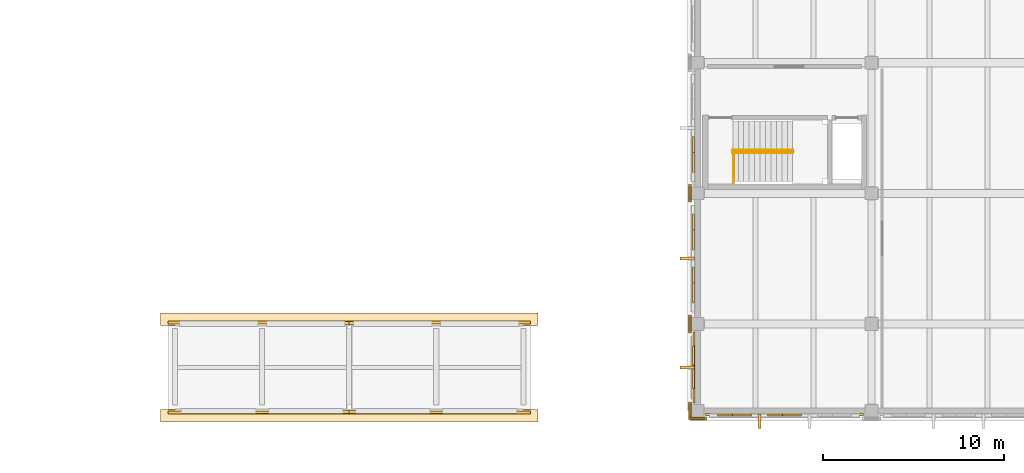
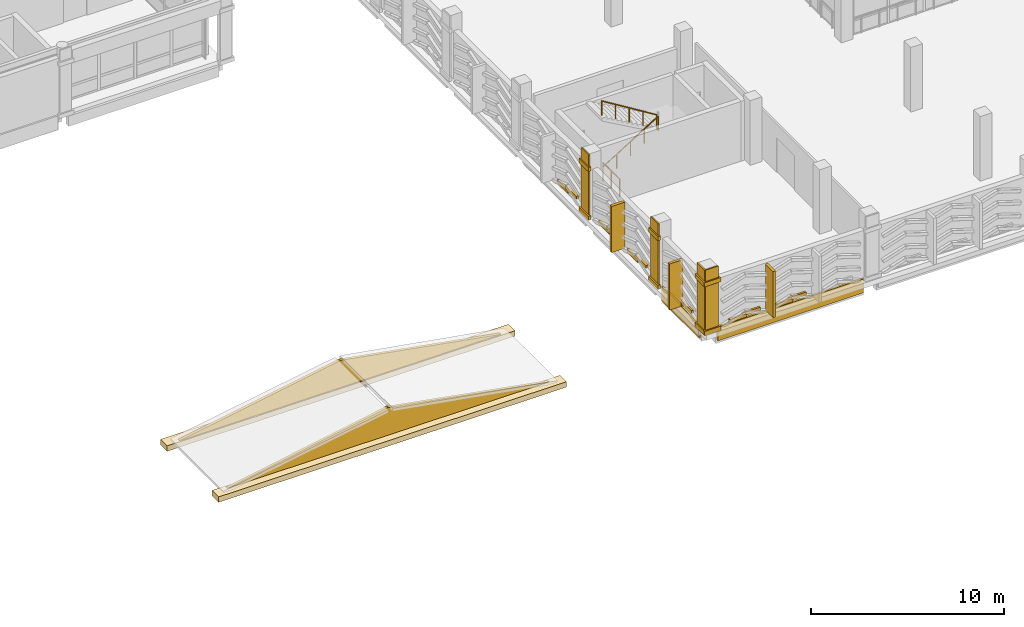
# One storey, part 165 of 180: 33 coverings, 3 railings.
"""IFC4 building model written with IfcOpenShell, lengths in metres."""

from ifc_helpers import new_model, si_unit, direction, frame, origin, origin_2d, place, context, subcontext, project, spatial, polyline, rectangle, circle, outline, extrude, material, layer, layer_set, type_object, element, save


model = new_model("IFC4")

# Units and contexts
model_context = context("Model", 3, precision=1e-05, world=origin(), true_north=direction((0.0, 1.0)))
body_context = subcontext(model_context, "Body", "Model", "MODEL_VIEW")
ifc_project = project(units=[si_unit("LENGTHUNIT", "METRE"), si_unit("AREAUNIT", "SQUARE_METRE"), si_unit("VOLUMEUNIT", "CUBIC_METRE"), si_unit("PLANEANGLEUNIT", "RADIAN"), si_unit("MASSUNIT", "GRAM", prefix="KILO")], contexts=[model_context])

# Site, building, storey
site_placement = place(None, origin())
site = spatial("IfcSite", under=ifc_project, at=site_placement, CompositionType="ELEMENT")
building_placement = place(site_placement, origin())
building = spatial("IfcBuilding", under=site, at=building_placement, Name="Asteropetra Specialist Clinic", CompositionType="ELEMENT")
storey_placement = place(building_placement, frame((0.0, 0.0, 4.419921875)))
storey = spatial("IfcBuildingStorey", under=building, at=storey_placement, Name="L01", CompositionType="ELEMENT", Elevation=4.419921875)

# Coverings
ifc_material_1 = material(Name="Chevron aegean deep")
ifc_layer_1 = layer(ifc_material_1, 0.1201171875)
ifc_layer_set_1 = layer_set([ifc_layer_1], Name="Chevron aegean deep")
covering_type_1 = type_object("IfcCoveringType", Name="CLD-AEG-DEEP", PredefinedType="CLADDING", material=ifc_layer_set_1)
covering_1_placement = place(storey_placement, frame((110.39990234375, -0.197509765625, -0.7998046875), z_axis=(0.0, 0.0, 1.0), x_axis=(1.0, 0.0, 0.0)))
element("IfcCovering", 1, at=covering_1_placement, inside=storey, type_object=covering_type_1, Name="Chevron Spandrel Band CV-2011", PredefinedType="CLADDING", context=body_context, shape_type="SweptSolid", body=[
    extrude(rectangle(XDim=8.699951171875, YDim=0.1201171875, at=origin_2d()), origin(), (0.0, 0.0, 1.0), 0.8798828125),
])
for number, where, z_axis, x_axis, name in (
    (2, (107.23974609375, -0.21240234375, 0.1201171875), (0.0, 0.0, 1.0), (1.0, 0.0, 0.0), "Chevron Ceramic Band CV-2012"),
    (3, (108.0537109375, -0.21240234375, 0.26025390625), (0.0, 0.0, 1.0), (1.0, 0.0, 0.0), "Chevron Ceramic Band CV-2013"),
    (4, (109.992919921875, -0.21240234375, 0.1201171875), (0.0, 0.0, 1.0), (1.0, 0.0, 0.0), "Chevron Ceramic Band CV-2014"),
    (5, (110.806884765625, -0.21240234375, 0.26025390625), (0.0, 0.0, 1.0), (1.0, 0.0, 0.0), "Chevron Ceramic Band CV-2015"),
):
    element("IfcCovering", number, at=place(storey_placement, frame(where, z_axis=z_axis, x_axis=x_axis)), inside=storey, type_object=covering_type_1, Name=name, PredefinedType="CLADDING", context=body_context, shape_type="SweptSolid", body=[
        extrude(rectangle(XDim=1.0458984375, YDim=0.1201171875, at=origin_2d()), origin(), (0.0, 0.0, 1.0), 0.199951171875),
    ])
covering_2_placement = place(storey_placement, frame((105.402587890625, 2.39990234375, -0.7998046875), z_axis=(0.0, 0.0, 1.0), x_axis=(1.0, 0.0, 0.0)))
element("IfcCovering", 6, at=covering_2_placement, inside=storey, type_object=covering_type_1, Name="Chevron Spandrel Band CV-2070", PredefinedType="CLADDING", context=body_context, shape_type="SweptSolid", body=[
    extrude(rectangle(XDim=0.1201171875, YDim=3.89990234375, at=origin_2d()), origin(), (0.0, 0.0, 1.0), 0.8798828125),
])
for number, where, z_axis, x_axis, name in (
    (7, (105.387451171875, 2.9130859375, 0.1201171875), (0.0, 0.0, 1.0), (1.0, 0.0, 0.0), "Chevron Ceramic Band CV-2071"),
    (8, (105.387451171875, 1.886962890625, 0.26025390625), (0.0, 0.0, 1.0), (1.0, 0.0, 0.0), "Chevron Ceramic Band CV-2072"),
):
    element("IfcCovering", number, at=place(storey_placement, frame(where, z_axis=z_axis, x_axis=x_axis)), inside=storey, type_object=covering_type_1, Name=name, PredefinedType="CLADDING", context=body_context, shape_type="SweptSolid", body=[
        extrude(rectangle(XDim=0.1201171875, YDim=1.31494140625, at=origin_2d()), origin(), (0.0, 0.0, 1.0), 0.199951171875),
    ])
for number, where, z_axis, x_axis, name in (
    (9, (105.387451171875, 10.298583984375, 0.1201171875), (0.0, 0.0, 1.0), (1.0, 0.0, 0.0), "Chevron Ceramic Band CV-2076"),
    (10, (105.387451171875, 9.431396484375, 0.26025390625), (0.0, 0.0, 1.0), (1.0, 0.0, 0.0), "Chevron Ceramic Band CV-2077"),
    (11, (105.387451171875, 7.368408203125, 0.1201171875), (0.0, 0.0, 1.0), (1.0, 0.0, 0.0), "Chevron Ceramic Band CV-2078"),
    (12, (105.387451171875, 6.50146484375, 0.26025390625), (0.0, 0.0, 1.0), (1.0, 0.0, 0.0), "Chevron Ceramic Band CV-2079"),
    (13, (105.387451171875, 14.568603515625, 0.1201171875), (0.0, 0.0, 1.0), (1.0, 0.0, 0.0), "Chevron Ceramic Band CV-2087"),
    (14, (105.387451171875, 13.701416015625, 0.26025390625), (0.0, 0.0, 1.0), (1.0, 0.0, 0.0), "Chevron Ceramic Band CV-2088"),
):
    element("IfcCovering", number, at=place(storey_placement, frame(where, z_axis=z_axis, x_axis=x_axis)), inside=storey, type_object=covering_type_1, Name=name, PredefinedType="CLADDING", context=body_context, shape_type="SweptSolid", body=[
        extrude(rectangle(XDim=0.1201171875, YDim=1.113037109375, at=origin_2d()), origin(), (0.0, 0.0, 1.0), 0.199951171875),
    ])
ifc_material_2 = material(Name="Pentelic marble ashlar", Category="masonry")
ifc_layer_2 = layer(ifc_material_2, 0.159912109375)
ifc_layer_set_2 = layer_set([ifc_layer_2], Name="Pentelic marble ashlar")
covering_type_2 = type_object("IfcCoveringType", Name="CRN-ENTAB-600", PredefinedType="MOLDING", material=ifc_layer_set_2)
covering_3_placement = place(storey_placement, frame((105.60009765625, -0.382080078125, 0.02001953125), z_axis=(0.0, 0.0, 1.0), x_axis=(1.0, 0.0, 0.0)))
element("IfcCovering", 15, at=covering_3_placement, inside=storey, type_object=covering_type_2, Name="Neoclassical Pilaster Facing CM-1013", PredefinedType="MOLDING", context=body_context, shape_type="SweptSolid", body=[
    extrude(rectangle(XDim=0.780029296875, YDim=0.080078125, at=origin_2d()), origin(), (0.0, 0.0, 1.0), 4.0400390625),
])
for number, where, z_axis, x_axis, name in (
    (16, (105.60009765625, -0.422119140625, 0.01025390625), (0.0, 0.0, 1.0), (1.0, 0.0, 0.0), "Doric Base CC-1014"),
    (17, (105.60009765625, -0.422119140625, 3.08984375), (0.0, 0.0, 1.0), (1.0, 0.0, 0.0), "Doric Capital CC-1015"),
):
    element("IfcCovering", number, at=place(storey_placement, frame(where, z_axis=z_axis, x_axis=x_axis)), inside=storey, type_object=covering_type_2, Name=name, PredefinedType="MOLDING", context=body_context, shape_type="SweptSolid", body=[
        extrude(rectangle(XDim=0.97998046875, YDim=0.159912109375, at=origin_2d()), origin(), (0.0, 0.0, 1.0), 0.260009765625),
    ])
covering_4_placement = place(storey_placement, frame((105.218017578125, 0.0, 0.02001953125), z_axis=(0.0, 0.0, 1.0), x_axis=(1.0, 0.0, 0.0)))
element("IfcCovering", 18, at=covering_4_placement, inside=storey, type_object=covering_type_2, Name="Neoclassical Pilaster Facing CM-1016", PredefinedType="MOLDING", context=body_context, shape_type="SweptSolid", body=[
    extrude(rectangle(XDim=0.080078125, YDim=0.780029296875, at=origin_2d()), origin(), (0.0, 0.0, 1.0), 4.0400390625),
])
for number, where, z_axis, x_axis, name in (
    (19, (105.177978515625, 0.0, 0.01025390625), (0.0, 0.0, 1.0), (1.0, 0.0, 0.0), "Doric Base CC-1017"),
    (20, (105.177978515625, 0.0, 3.08984375), (0.0, 0.0, 1.0), (1.0, 0.0, 0.0), "Doric Capital CC-1018"),
):
    element("IfcCovering", number, at=place(storey_placement, frame(where, z_axis=z_axis, x_axis=x_axis)), inside=storey, type_object=covering_type_2, Name=name, PredefinedType="MOLDING", context=body_context, shape_type="SweptSolid", body=[
        extrude(rectangle(XDim=0.159912109375, YDim=0.97998046875, at=origin_2d()), origin(), (0.0, 0.0, 1.0), 0.260009765625),
    ])
covering_5_placement = place(storey_placement, frame((105.218017578125, 4.800048828125, 0.02001953125), z_axis=(0.0, 0.0, 1.0), x_axis=(1.0, 0.0, 0.0)))
element("IfcCovering", 21, at=covering_5_placement, inside=storey, type_object=covering_type_2, Name="Neoclassical Pilaster Facing CM-1019", PredefinedType="MOLDING", context=body_context, shape_type="SweptSolid", body=[
    extrude(rectangle(XDim=0.080078125, YDim=0.780029296875, at=origin_2d()), origin(), (0.0, 0.0, 1.0), 4.0400390625),
])
for number, where, z_axis, x_axis, name in (
    (22, (105.177978515625, 4.800048828125, 0.01025390625), (0.0, 0.0, 1.0), (1.0, 0.0, 0.0), "Doric Base CC-1020"),
    (23, (105.177978515625, 4.800048828125, 3.08984375), (0.0, 0.0, 1.0), (1.0, 0.0, 0.0), "Doric Capital CC-1021"),
):
    element("IfcCovering", number, at=place(storey_placement, frame(where, z_axis=z_axis, x_axis=x_axis)), inside=storey, type_object=covering_type_2, Name=name, PredefinedType="MOLDING", context=body_context, shape_type="SweptSolid", body=[
        extrude(rectangle(XDim=0.159912109375, YDim=0.97998046875, at=origin_2d()), origin(), (0.0, 0.0, 1.0), 0.260009765625),
    ])
covering_6_placement = place(storey_placement, frame((105.218017578125, 12.0, 0.02001953125), z_axis=(0.0, 0.0, 1.0), x_axis=(1.0, 0.0, 0.0)))
element("IfcCovering", 24, at=covering_6_placement, inside=storey, type_object=covering_type_2, Name="Neoclassical Pilaster Facing CM-1022", PredefinedType="MOLDING", context=body_context, shape_type="SweptSolid", body=[
    extrude(rectangle(XDim=0.080078125, YDim=0.780029296875, at=origin_2d()), origin(), (0.0, 0.0, 1.0), 4.0400390625),
])
for number, where, z_axis, x_axis, name in (
    (25, (105.177978515625, 12.0, 0.01025390625), (0.0, 0.0, 1.0), (1.0, 0.0, 0.0), "Doric Base CC-1023"),
    (26, (105.177978515625, 12.0, 3.08984375), (0.0, 0.0, 1.0), (1.0, 0.0, 0.0), "Doric Capital CC-1024"),
):
    element("IfcCovering", number, at=place(storey_placement, frame(where, z_axis=z_axis, x_axis=x_axis)), inside=storey, type_object=covering_type_2, Name=name, PredefinedType="MOLDING", context=body_context, shape_type="SweptSolid", body=[
        extrude(rectangle(XDim=0.159912109375, YDim=0.97998046875, at=origin_2d()), origin(), (0.0, 0.0, 1.0), 0.260009765625),
    ])
covering_7_placement = place(storey_placement, frame((76.39990234375, -0.159912109375, 0.0), z_axis=(0.0, -0.999938160075, 0.011120972349), x_axis=(1.0, 0.0, 0.0)))
element("IfcCovering", 27, at=covering_7_placement, inside=storey, type_object=covering_type_2, Name="Classical Pediment Tympanum Face TF-013", PredefinedType="MOLDING", context=body_context, shape_type="SweptSolid", body=[
    extrude(outline(polyline([(0.0, 0.0), (20.0, 0.0), (10.0, 1.8001601498938), (0.0, 0.0)])), origin(), (0.0, 0.0, -1.0), 0.159912109375),
])
covering_8_placement = place(storey_placement, frame((86.39990234375, -0.260009765625, -0.27001953125), z_axis=(0.0, 0.0, 1.0), x_axis=(1.0, 0.0, 0.0)))
element("IfcCovering", 28, at=covering_8_placement, inside=storey, type_object=covering_type_2, Name="Pediment Geison Cornice CR-014", PredefinedType="MOLDING", context=body_context, shape_type="SweptSolid", body=[
    extrude(rectangle(XDim=20.800048828125, YDim=0.679931640625, at=origin_2d()), origin(), (0.0, 0.0, 1.0), 0.340087890625),
])
covering_9_placement = place(storey_placement, frame((76.39990234375, 4.9599609375, 0.0), z_axis=(0.0, 0.999938160075, 0.011120972349), x_axis=(1.0, 0.0, 0.0)))
element("IfcCovering", 29, at=covering_9_placement, inside=storey, type_object=covering_type_2, Name="Classical Pediment Tympanum Face TF-015", PredefinedType="MOLDING", context=body_context, shape_type="SweptSolid", body=[
    extrude(outline(polyline([(0.0, 0.0), (20.0, 0.0), (10.0, -1.8001601498938), (0.0, 0.0)])), origin(), (0.0, 0.0, -1.0), 0.159912109375),
])
covering_10_placement = place(storey_placement, frame((86.39990234375, 5.06005859375, -0.27001953125), z_axis=(0.0, 0.0, 1.0), x_axis=(1.0, 0.0, 0.0)))
element("IfcCovering", 30, at=covering_10_placement, inside=storey, type_object=covering_type_2, Name="Pediment Geison Cornice CR-016", PredefinedType="MOLDING", context=body_context, shape_type="SweptSolid", body=[
    extrude(rectangle(XDim=20.800048828125, YDim=0.679931640625, at=origin_2d()), origin(), (0.0, 0.0, 1.0), 0.340087890625),
])
ifc_material_3 = material(Name="Pentelic marble solar fin", Category="masonry")
ifc_layer_3 = layer(ifc_material_3, 0.080078125)
ifc_layer_set_3 = layer_set([ifc_layer_3], Name="Pentelic marble solar fin")
covering_type_3 = type_object("IfcCoveringType", Name="FIN-SOLAR-800", PredefinedType="MOLDING", material=ifc_layer_set_3)
covering_11_placement = place(storey_placement, frame((109.023193359375, -0.552490234375, 0.070068359375), z_axis=(0.0, 0.0, 1.0), x_axis=(1.0, 0.0, 0.0)))
element("IfcCovering", 31, at=covering_11_placement, inside=storey, type_object=covering_type_3, Name="Solar Shading Fin FN-0148", PredefinedType="MOLDING", context=body_context, shape_type="SweptSolid", body=[
    extrude(rectangle(XDim=0.159912109375, YDim=0.800048828125, at=origin_2d()), origin(), (0.0, 0.0, 1.0), 2.919921875),
])
for number, where, z_axis, x_axis, name in (
    (32, (105.047607421875, 2.39990234375, 0.070068359375), (0.0, 0.0, 1.0), (1.0, 0.0, 0.0), "Solar Shading Fin FN-0166"),
    (33, (105.047607421875, 8.39990234375, 0.070068359375), (0.0, 0.0, 1.0), (1.0, 0.0, 0.0), "Solar Shading Fin FN-0168"),
):
    element("IfcCovering", number, at=place(storey_placement, frame(where, z_axis=z_axis, x_axis=x_axis)), inside=storey, type_object=covering_type_3, Name=name, PredefinedType="MOLDING", context=body_context, shape_type="SweptSolid", body=[
        extrude(rectangle(XDim=0.800048828125, YDim=0.159912109375, at=origin_2d()), origin(), (0.0, 0.0, 1.0), 2.919921875),
    ])

# Railings
ifc_material_4 = material(Name="Steel S355 and laminated glass guard", Category="steel")
railing_type_1 = type_object("IfcRailingType", Name="GRD-INT-1120", PredefinedType="GUARDRAIL", material=ifc_material_4)
railing_1_placement = place(storey_placement, frame((107.60009765625, 12.60009765625, 0.0)))
element("IfcRailing", 34, at=railing_1_placement, inside=storey, type_object=railing_type_1, Name="Stair Well Guard ST08-L00", PredefinedType="GUARDRAIL", context=body_context, shape_type="SweptSolid", body=[
    extrude(circle(Radius=0.02392578125, at=origin_2d()), frame((0.0, 0.0, 1.09619140625), z_axis=(0.0, 1.0, 0.0), x_axis=(-1.0, 0.0, 0.0)), (0.0, 0.0, 1.0), 1.72998046875),
    extrude(circle(Radius=0.02099609375, at=origin_2d()), origin(), (0.0, 0.0, 1.0), 1.072021484375),
    extrude(circle(Radius=0.02099609375, at=origin_2d()), frame((0.0, 0.864990234375, 0.0)), (0.0, 0.0, 1.0), 1.072021484375),
    extrude(circle(Radius=0.02099609375, at=origin_2d()), frame((0.0, 1.72998046875, 0.0)), (0.0, 0.0, 1.0), 1.072021484375),
])
ifc_material_5 = material(Name="Brushed stainless steel handrail", Category="steel")
railing_type_2 = type_object("IfcRailingType", Name="HRL-STAIR-920", PredefinedType="HANDRAIL", material=ifc_material_5)
railing_2_placement = place(storey_placement, frame((107.550048828125, 14.239990234375, 0.0)))
element("IfcRailing", 35, at=railing_2_placement, inside=storey, type_object=railing_type_2, Name="Stair Handrail ST08-L01 F1", PredefinedType="HANDRAIL", context=body_context, shape_type="SweptSolid", body=[
    extrude(circle(Radius=0.02392578125, at=origin_2d()), frame((0.0, 0.0, 0.89599609375), z_axis=(0.850593546085, 0.0, 0.525823753132), x_axis=(0.0, 1.0, 0.0)), (0.0, 0.0, 1.0), 3.879638671875),
    extrude(circle(Radius=0.02099609375, at=origin_2d()), origin(), (0.0, 0.0, 1.0), 0.871826171875),
    extrude(circle(Radius=0.02099609375, at=origin_2d()), frame((0.824951171875, 0.0, 0.510009765625)), (0.0, 0.0, 1.0), 0.871826171875),
    extrude(circle(Radius=0.02099609375, at=origin_2d()), frame((1.64990234375, 0.0, 1.02001953125)), (0.0, 0.0, 1.0), 0.871826171875),
    extrude(circle(Radius=0.02099609375, at=origin_2d()), frame((2.47509765625, 0.0, 1.530029296875)), (0.0, 0.0, 1.0), 0.871826171875),
    extrude(circle(Radius=0.02099609375, at=origin_2d()), frame((3.300048828125, 0.0, 2.0400390625)), (0.0, 0.0, 1.0), 0.871826171875),
])
railing_3_placement = place(storey_placement, frame((110.85009765625, 14.3798828125, 2.0400390625)))
element("IfcRailing", 36, at=railing_3_placement, inside=storey, type_object=railing_type_2, Name="Stair Handrail ST08-L01 F2", PredefinedType="HANDRAIL", context=body_context, shape_type="SweptSolid", body=[
    extrude(circle(Radius=0.02392578125, at=origin_2d()), frame((0.0, 0.0, 0.89599609375), z_axis=(-0.850593546085, 0.0, 0.525823753132), x_axis=(0.0, -1.0, 0.0)), (0.0, 0.0, 1.0), 3.879638671875),
    extrude(circle(Radius=0.02099609375, at=origin_2d()), origin(), (0.0, 0.0, 1.0), 0.871826171875),
    extrude(circle(Radius=0.02099609375, at=origin_2d()), frame((-0.824951171875, 0.0, 0.510009765625)), (0.0, 0.0, 1.0), 0.871826171875),
    extrude(circle(Radius=0.02099609375, at=origin_2d()), frame((-1.64990234375, 0.0, 1.02001953125)), (0.0, 0.0, 1.0), 0.871826171875),
    extrude(circle(Radius=0.02099609375, at=origin_2d()), frame((-2.47509765625, 0.0, 1.530029296875)), (0.0, 0.0, 1.0), 0.871826171875),
    extrude(circle(Radius=0.02099609375, at=origin_2d()), frame((-3.300048828125, 0.0, 2.0400390625)), (0.0, 0.0, 1.0), 0.871826171875),
])

save(model, "model.ifc")
